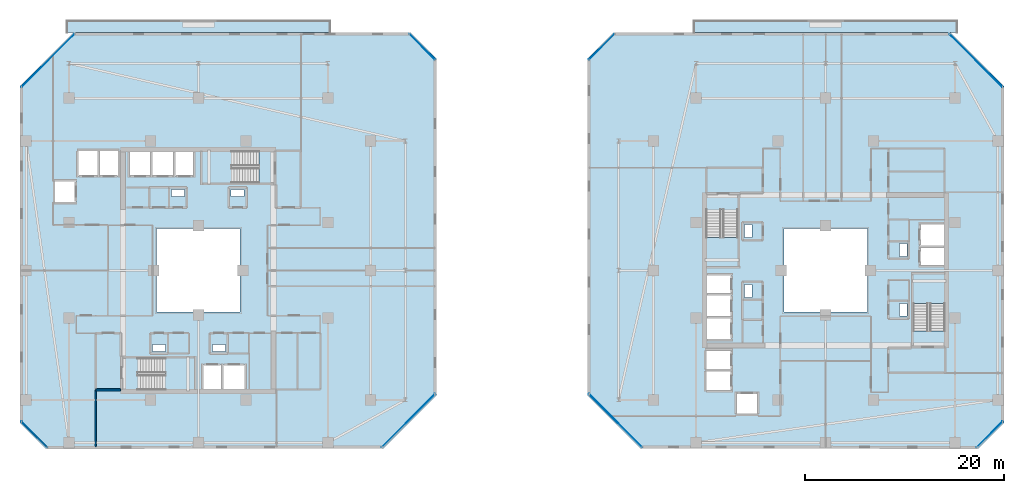
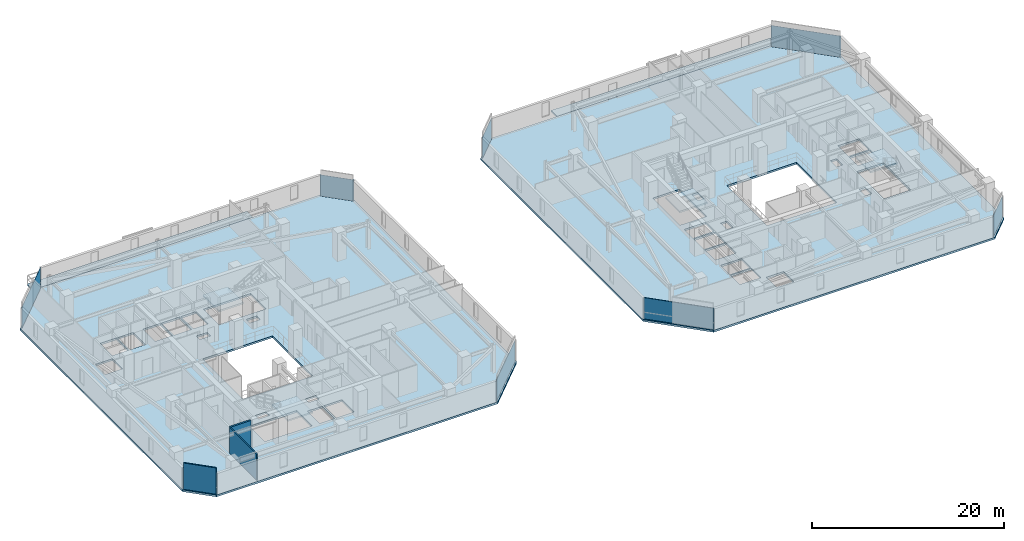
# One storey, part 18 of 33: 8 plates, 8 slabs, 3 walls, 12 elements without a shape of their own.
"""IFC4 building model written with IfcOpenShell, lengths in metres."""

from ifc_helpers import new_model, si_unit, direction, frame, frame_2d, origin, origin_2d, place, context, subcontext, project, spatial, polyline, rectangle, outline, extrude, material, layer, layer_set, type_object, element, aggregate, save


model = new_model("IFC4")

# Units and contexts
model_context = context("Model", 3, precision=1e-05, world=origin(), true_north=direction((0.0, 1.0)))
body_context = subcontext(model_context, "Body", "Model", "MODEL_VIEW")
ifc_project = project(units=[si_unit("LENGTHUNIT", "METRE"), si_unit("AREAUNIT", "SQUARE_METRE"), si_unit("VOLUMEUNIT", "CUBIC_METRE"), si_unit("PLANEANGLEUNIT", "RADIAN"), si_unit("MASSUNIT", "GRAM", prefix="KILO")], contexts=[model_context])

# Site, building, storey
site_placement = place(None, origin())
site = spatial("IfcSite", under=ifc_project, at=site_placement, CompositionType="ELEMENT")
building_placement = place(site_placement, origin())
building = spatial("IfcBuilding", under=site, at=building_placement, Name="Thornwick Lancets Civic Towers", CompositionType="ELEMENT")
storey_placement = place(building_placement, frame((0.0, 0.0, 185.699951171875)))
storey = spatial("IfcBuildingStorey", under=building, at=storey_placement, Name="L49", CompositionType="ELEMENT", Elevation=185.699951171875)

# Curtain wall, plate
ifc_material_1 = material(Name="Mid-zone chamfered-corner unitised glass curtain wall", Category="glass")
curtain_wall_type = type_object("IfcCurtainWallType", Name="CW_SYS_04", PredefinedType="NOTDEFINED", material=ifc_material_1)
curtain_wall_1_placement = place(storey_placement, origin())
curtain_wall_1 = element("IfcCurtainWall", 1, at=curtain_wall_1_placement, inside=storey, type_object=curtain_wall_type, Name="L49 Curtain Wall CW-L49-A-E1", PredefinedType="NOTDEFINED")
ifc_material_2 = material(Name="Low-e double glazing clear glass", Category="glass")
ifc_layer_1 = layer(ifc_material_2, 0.035888671875, Name="Low-e double glazing clear glass")
ifc_layer_set_1 = layer_set([ifc_layer_1], Name="Low-e double glazing clear glass")
plate_type = type_object("IfcPlateType", Name="CW_PNL_GLASS", PredefinedType="CURTAIN_PANEL", material=ifc_layer_set_1)
plate_1_placement = place(storey_placement, frame((46.589599609375, 11.910400390625, 0.0), z_axis=(0.0, 0.0, 1.0), x_axis=(0.707106781187, 0.707106781187, 0.0)))
plate_1 = element("IfcPlate", 2, at=plate_1_placement, type_object=plate_type, Name="CW-L49-A-E1 Panel 0", PredefinedType="CURTAIN_PANEL", context=body_context, shape_type="SweptSolid", body=[
    extrude(rectangle(XDim=7.536376953125, YDim=0.035888671875, at=origin_2d()), origin(), (0.0, 0.0, 1.0), 2.699951171875),
])
aggregate(curtain_wall_1, [plate_1])

curtain_wall_2_placement = place(storey_placement, origin())
curtain_wall_2 = element("IfcCurtainWall", 3, at=curtain_wall_2_placement, inside=storey, type_object=curtain_wall_type, Name="L49 Curtain Wall CW-L49-A-E3", PredefinedType="NOTDEFINED")
plate_2_placement = place(storey_placement, frame((47.972900390625, 49.472900390625, 0.0), z_axis=(0.0, 0.0, 1.0), x_axis=(-0.707106781187, 0.707106781187, 0.0)))
plate_2 = element("IfcPlate", 4, at=plate_2_placement, type_object=plate_type, Name="CW-L49-A-E3 Panel 0", PredefinedType="CURTAIN_PANEL", context=body_context, shape_type="SweptSolid", body=[
    extrude(rectangle(XDim=3.649169921875, YDim=0.035888671875, at=origin_2d()), origin(), (0.0, 0.0, 1.0), 2.699951171875),
])
aggregate(curtain_wall_2, [plate_2])

curtain_wall_3_placement = place(storey_placement, origin())
curtain_wall_3 = element("IfcCurtainWall", 5, at=curtain_wall_3_placement, inside=storey, type_object=curtain_wall_type, Name="L49 Curtain Wall CW-L49-A-E5", PredefinedType="NOTDEFINED")
plate_3_placement = place(storey_placement, frame((10.410400390625, 48.089599609375, 0.0), z_axis=(0.0, 0.0, 1.0), x_axis=(-0.707106781187, -0.707106781187, 0.0)))
plate_3 = element("IfcPlate", 6, at=plate_3_placement, type_object=plate_type, Name="CW-L49-A-E5 Panel 0", PredefinedType="CURTAIN_PANEL", context=body_context, shape_type="SweptSolid", body=[
    extrude(rectangle(XDim=7.536376953125, YDim=0.035888671875, at=origin_2d()), origin(), (0.0, 0.0, 1.0), 2.699951171875),
])
aggregate(curtain_wall_3, [plate_3])

curtain_wall_4_placement = place(storey_placement, origin())
curtain_wall_4 = element("IfcCurtainWall", 7, at=curtain_wall_4_placement, inside=storey, type_object=curtain_wall_type, Name="L49 Curtain Wall CW-L49-A-E7", PredefinedType="NOTDEFINED")
plate_4_placement = place(storey_placement, frame((9.027099609375, 10.527099609375, 0.0), z_axis=(0.0, 0.0, 1.0), x_axis=(0.707106781187, -0.707106781187, 0.0)))
plate_4 = element("IfcPlate", 8, at=plate_4_placement, type_object=plate_type, Name="CW-L49-A-E7 Panel 0", PredefinedType="CURTAIN_PANEL", context=body_context, shape_type="SweptSolid", body=[
    extrude(rectangle(XDim=3.649169921875, YDim=0.035888671875, at=origin_2d()), origin(), (0.0, 0.0, 1.0), 2.699951171875),
])
aggregate(curtain_wall_4, [plate_4])

curtain_wall_5_placement = place(storey_placement, origin())
curtain_wall_5 = element("IfcCurtainWall", 9, at=curtain_wall_5_placement, inside=storey, type_object=curtain_wall_type, Name="L49 Curtain Wall CW-L49-B-E1", PredefinedType="NOTDEFINED")
plate_5_placement = place(storey_placement, frame((104.972900390625, 10.527099609375, 0.0), z_axis=(0.0, 0.0, 1.0), x_axis=(0.707106781187, 0.707106781187, 0.0)))
plate_5 = element("IfcPlate", 10, at=plate_5_placement, type_object=plate_type, Name="CW-L49-B-E1 Panel 0", PredefinedType="CURTAIN_PANEL", context=body_context, shape_type="SweptSolid", body=[
    extrude(rectangle(XDim=3.649169921875, YDim=0.035888671875, at=origin_2d()), origin(), (0.0, 0.0, 1.0), 2.699951171875),
])
aggregate(curtain_wall_5, [plate_5])

curtain_wall_6_placement = place(storey_placement, origin())
curtain_wall_6 = element("IfcCurtainWall", 11, at=curtain_wall_6_placement, inside=storey, type_object=curtain_wall_type, Name="L49 Curtain Wall CW-L49-B-E3", PredefinedType="NOTDEFINED")
plate_6_placement = place(storey_placement, frame((103.589599609375, 48.089599609375, 0.0), z_axis=(0.0, 0.0, 1.0), x_axis=(-0.707106781187, 0.707106781187, 0.0)))
plate_6 = element("IfcPlate", 12, at=plate_6_placement, type_object=plate_type, Name="CW-L49-B-E3 Panel 0", PredefinedType="CURTAIN_PANEL", context=body_context, shape_type="SweptSolid", body=[
    extrude(rectangle(XDim=7.536376953125, YDim=0.035888671875, at=origin_2d()), origin(), (0.0, 0.0, 1.0), 2.699951171875),
])
aggregate(curtain_wall_6, [plate_6])

curtain_wall_7_placement = place(storey_placement, origin())
curtain_wall_7 = element("IfcCurtainWall", 13, at=curtain_wall_7_placement, inside=storey, type_object=curtain_wall_type, Name="L49 Curtain Wall CW-L49-B-E5", PredefinedType="NOTDEFINED")
plate_7_placement = place(storey_placement, frame((66.027099609375, 49.472900390625, 0.0), z_axis=(0.0, 0.0, 1.0), x_axis=(-0.707106781187, -0.707106781187, 0.0)))
plate_7 = element("IfcPlate", 14, at=plate_7_placement, type_object=plate_type, Name="CW-L49-B-E5 Panel 0", PredefinedType="CURTAIN_PANEL", context=body_context, shape_type="SweptSolid", body=[
    extrude(rectangle(XDim=3.649169921875, YDim=0.035888671875, at=origin_2d()), origin(), (0.0, 0.0, 1.0), 2.699951171875),
])
aggregate(curtain_wall_7, [plate_7])

curtain_wall_8_placement = place(storey_placement, origin())
curtain_wall_8 = element("IfcCurtainWall", 15, at=curtain_wall_8_placement, inside=storey, type_object=curtain_wall_type, Name="L49 Curtain Wall CW-L49-B-E7", PredefinedType="NOTDEFINED")
plate_8_placement = place(storey_placement, frame((67.410400390625, 11.910400390625, 0.0), z_axis=(0.0, 0.0, 1.0), x_axis=(0.707106781187, -0.707106781187, 0.0)))
plate_8 = element("IfcPlate", 16, at=plate_8_placement, type_object=plate_type, Name="CW-L49-B-E7 Panel 0", PredefinedType="CURTAIN_PANEL", context=body_context, shape_type="SweptSolid", body=[
    extrude(rectangle(XDim=7.536376953125, YDim=0.035888671875, at=origin_2d()), origin(), (0.0, 0.0, 1.0), 2.699951171875),
])
aggregate(curtain_wall_8, [plate_8])

# Slabs
ifc_material_3 = material(Name="Post-tensioned concrete C40/50", Category="concrete")
ifc_layer_2 = layer(ifc_material_3, 0.199951171875, Name="Post-tensioned concrete C40/50")
ifc_layer_set_2 = layer_set([ifc_layer_2], Name="Post-tensioned concrete C40/50")
slab_type_1 = type_object("IfcSlabType", Name="SLAB_BALCONY_200", PredefinedType="FLOOR", material=ifc_layer_set_2)
slab_1_placement = place(storey_placement, frame((0.0, 0.0, -0.199951171875)))
element("IfcSlab", 17, at=slab_1_placement, inside=storey, type_object=slab_type_1, Name="L49 Tower A Planted Balcony Slab N", PredefinedType="FLOOR", context=body_context, shape_type="SweptSolid", body=[
    extrude(outline(polyline([(12.300048828125, 50.89990234375), (38.699951171875, 50.89990234375), (38.699951171875, 52.14990234375), (12.300048828125, 52.14990234375), (12.300048828125, 50.89990234375)])), origin(), (0.0, 0.0, 1.0), 0.199951171875),
])
slab_2_placement = place(storey_placement, frame((0.0, 0.0, -0.199951171875)))
element("IfcSlab", 18, at=slab_2_placement, inside=storey, type_object=slab_type_1, Name="L49 Tower B Planted Balcony Slab N", PredefinedType="FLOOR", context=body_context, shape_type="SweptSolid", body=[
    extrude(outline(polyline([(75.300048828125, 50.89990234375), (101.699951171875, 50.89990234375), (101.699951171875, 52.14990234375), (75.300048828125, 52.14990234375), (75.300048828125, 50.89990234375)])), origin(), (0.0, 0.0, 1.0), 0.199951171875),
])

# Stair, slab
ifc_material_4 = material(Name="Concrete C40/50", Category="concrete")
stair_type = type_object("IfcStairType", Name="STAIR_DL_3600", PredefinedType="HALF_TURN_STAIR", material=ifc_material_4)
stair_1_placement = place(storey_placement, origin())
stair_1 = element("IfcStair", 19, at=stair_1_placement, inside=storey, type_object=stair_type, Name="L49 Tower A South Exit Stair ST-A1", PredefinedType="HALF_TURN_STAIR")
ifc_layer_3 = layer(ifc_material_4, 0.25, Name="Concrete C40/50")
ifc_layer_set_3 = layer_set([ifc_layer_3], Name="Concrete C40/50")
slab_type_2 = type_object("IfcSlabType", Name="SLAB_LANDING_200", PredefinedType="LANDING", material=ifc_layer_set_3)
slab_3_placement = place(storey_placement, frame((0.0, 0.0, 1.60302734375)))
slab_3 = element("IfcSlab", 20, at=slab_3_placement, type_object=slab_type_2, Name="ST-A1 landing 1", PredefinedType="LANDING", context=body_context, shape_type="SweptSolid", body=[
    extrude(outline(polyline([(22.169921875, 14.93994140625), (25.14990234375, 14.93994140625), (25.14990234375, 18.260009765625), (22.169921875, 18.260009765625), (22.169921875, 14.93994140625)])), origin(), (0.0, 0.0, 1.0), 0.199951171875),
])
aggregate(stair_1, [slab_3])

stair_2_placement = place(storey_placement, origin())
stair_2 = element("IfcStair", 21, at=stair_2_placement, inside=storey, type_object=stair_type, Name="L49 Tower A North Exit Stair ST-A2", PredefinedType="HALF_TURN_STAIR")
slab_4_placement = place(storey_placement, frame((0.0, 0.0, 1.60302734375)))
slab_4 = element("IfcSlab", 22, at=slab_4_placement, type_object=slab_type_2, Name="ST-A2 landing 1", PredefinedType="LANDING", context=body_context, shape_type="SweptSolid", body=[
    extrude(outline(polyline([(28.830078125, 39.06005859375), (25.85009765625, 39.06005859375), (25.85009765625, 35.739990234375), (28.830078125, 35.739990234375), (28.830078125, 39.06005859375)])), origin(), (0.0, 0.0, 1.0), 0.199951171875),
])
aggregate(stair_2, [slab_4])

stair_3_placement = place(storey_placement, origin())
stair_3 = element("IfcStair", 23, at=stair_3_placement, inside=storey, type_object=stair_type, Name="L49 Tower B East Exit Stair ST-B1", PredefinedType="HALF_TURN_STAIR")
slab_5_placement = place(storey_placement, frame((0.0, 0.0, 1.60302734375)))
slab_5 = element("IfcSlab", 24, at=slab_5_placement, type_object=slab_type_2, Name="ST-B1 landing 1", PredefinedType="LANDING", context=body_context, shape_type="SweptSolid", body=[
    extrude(outline(polyline([(100.56005859375, 23.669921875), (100.56005859375, 26.64990234375), (97.239990234375, 26.64990234375), (97.239990234375, 23.669921875), (100.56005859375, 23.669921875)])), origin(), (0.0, 0.0, 1.0), 0.199951171875),
])
aggregate(stair_3, [slab_5])

stair_4_placement = place(storey_placement, origin())
stair_4 = element("IfcStair", 25, at=stair_4_placement, inside=storey, type_object=stair_type, Name="L49 Tower B West Exit Stair ST-B2", PredefinedType="HALF_TURN_STAIR")
slab_6_placement = place(storey_placement, frame((0.0, 0.0, 1.60302734375)))
slab_6 = element("IfcSlab", 26, at=slab_6_placement, type_object=slab_type_2, Name="ST-B2 landing 1", PredefinedType="LANDING", context=body_context, shape_type="SweptSolid", body=[
    extrude(outline(polyline([(76.43994140625, 30.330078125), (76.43994140625, 27.35009765625), (79.760009765625, 27.35009765625), (79.760009765625, 30.330078125), (76.43994140625, 30.330078125)])), origin(), (0.0, 0.0, 1.0), 0.199951171875),
])
aggregate(stair_4, [slab_6])

# Slabs
ifc_layer_4 = layer(ifc_material_3, 0.239990234375, Name="Post-tensioned concrete C40/50")
ifc_layer_set_4 = layer_set([ifc_layer_4], Name="Post-tensioned concrete C40/50")
slab_type_3 = type_object("IfcSlabType", Name="SLAB_PT_240", PredefinedType="FLOOR", material=ifc_layer_set_4)
slab_7_placement = place(storey_placement, frame((0.0, 0.0, -0.239990234375)))
element("IfcSlab", 27, at=slab_7_placement, inside=storey, type_object=slab_type_3, Name="L49 Tower A Floor Slab", PredefinedType="FLOOR", context=body_context, shape_type="SweptSolid", body=[
    extrude(outline(polyline([(10.199951171875, 9.10009765625), (44.031005859375, 9.10009765625), (49.39990234375, 14.468994140625), (49.39990234375, 48.300048828125), (46.800048828125, 50.89990234375), (12.968994140625, 50.89990234375), (7.60009765625, 45.531005859375), (7.60009765625, 11.699951171875), (10.199951171875, 9.10009765625)]), holes=[polyline([(21.300048828125, 22.800048828125), (29.699951171875, 22.800048828125), (29.699951171875, 31.199951171875), (21.300048828125, 31.199951171875), (21.300048828125, 22.800048828125)]), polyline([(19.429931640625, 15.0), (25.10009765625, 15.0), (25.10009765625, 18.199951171875), (19.429931640625, 18.199951171875), (19.429931640625, 15.0)]), polyline([(31.570068359375, 39.0), (25.89990234375, 39.0), (25.89990234375, 35.800048828125), (31.570068359375, 35.800048828125), (31.570068359375, 39.0)]), polyline([(26.0, 15.0), (27.800048828125, 15.0), (27.800048828125, 17.550048828125), (26.0, 17.550048828125), (26.0, 15.0)]), polyline([(28.0, 15.0), (30.14990234375, 15.0), (30.14990234375, 17.550048828125), (28.0, 17.550048828125), (28.0, 15.0)]), polyline([(23.199951171875, 36.449951171875), (25.0, 36.449951171875), (25.0, 39.0), (23.199951171875, 39.0), (23.199951171875, 36.449951171875)]), polyline([(20.85009765625, 36.449951171875), (23.0, 36.449951171875), (23.0, 39.0), (20.85009765625, 39.0), (20.85009765625, 36.449951171875)]), polyline([(18.60009765625, 36.449951171875), (20.699951171875, 36.449951171875), (20.699951171875, 39.0), (18.60009765625, 39.0), (18.60009765625, 36.449951171875)]), polyline([(15.550048828125, 36.449951171875), (17.449951171875, 36.449951171875), (17.449951171875, 39.0), (15.550048828125, 39.0), (15.550048828125, 36.449951171875)]), polyline([(13.449951171875, 36.449951171875), (15.39990234375, 36.449951171875), (15.39990234375, 39.0), (13.449951171875, 39.0), (13.449951171875, 36.449951171875)]), polyline([(11.10009765625, 33.85009765625), (13.199951171875, 33.85009765625), (13.199951171875, 35.949951171875), (11.10009765625, 35.949951171875), (11.10009765625, 33.85009765625)]), polyline([(26.89990234375, 18.85009765625), (28.199951171875, 18.85009765625), (28.199951171875, 19.580078125), (26.89990234375, 19.580078125), (26.89990234375, 18.85009765625)]), polyline([(20.89990234375, 18.85009765625), (22.199951171875, 18.85009765625), (22.199951171875, 19.580078125), (20.89990234375, 19.580078125), (20.89990234375, 18.85009765625)]), polyline([(22.800048828125, 34.419921875), (24.10009765625, 34.419921875), (24.10009765625, 35.14990234375), (22.800048828125, 35.14990234375), (22.800048828125, 34.419921875)]), polyline([(28.800048828125, 34.419921875), (30.10009765625, 34.419921875), (30.10009765625, 35.14990234375), (28.800048828125, 35.14990234375), (28.800048828125, 34.419921875)])]), origin(), (0.0, 0.0, 1.0), 0.239990234375),
])
slab_8_placement = place(storey_placement, frame((0.0, 0.0, -0.239990234375)))
element("IfcSlab", 28, at=slab_8_placement, inside=storey, type_object=slab_type_3, Name="L49 Tower B Floor Slab", PredefinedType="FLOOR", context=body_context, shape_type="SweptSolid", body=[
    extrude(outline(polyline([(69.968994140625, 9.10009765625), (103.800048828125, 9.10009765625), (106.39990234375, 11.699951171875), (106.39990234375, 45.531005859375), (101.031005859375, 50.89990234375), (67.199951171875, 50.89990234375), (64.60009765625, 48.300048828125), (64.60009765625, 14.468994140625), (69.968994140625, 9.10009765625)]), holes=[polyline([(84.300048828125, 22.800048828125), (92.699951171875, 22.800048828125), (92.699951171875, 31.199951171875), (84.300048828125, 31.199951171875), (84.300048828125, 22.800048828125)]), polyline([(100.5, 20.929931640625), (100.5, 26.60009765625), (97.300048828125, 26.60009765625), (97.300048828125, 20.929931640625), (100.5, 20.929931640625)]), polyline([(76.5, 33.070068359375), (76.5, 27.39990234375), (79.699951171875, 27.39990234375), (79.699951171875, 33.070068359375), (76.5, 33.070068359375)]), polyline([(97.949951171875, 27.5), (100.5, 27.5), (100.5, 29.300048828125), (97.949951171875, 29.300048828125), (97.949951171875, 27.5)]), polyline([(97.949951171875, 29.5), (100.5, 29.5), (100.5, 31.64990234375), (97.949951171875, 31.64990234375), (97.949951171875, 29.5)]), polyline([(76.5, 24.699951171875), (79.050048828125, 24.699951171875), (79.050048828125, 26.5), (76.5, 26.5), (76.5, 24.699951171875)]), polyline([(76.5, 22.35009765625), (79.050048828125, 22.35009765625), (79.050048828125, 24.5), (76.5, 24.5), (76.5, 22.35009765625)]), polyline([(76.5, 20.10009765625), (79.050048828125, 20.10009765625), (79.050048828125, 22.199951171875), (76.5, 22.199951171875), (76.5, 20.10009765625)]), polyline([(76.5, 17.050048828125), (79.050048828125, 17.050048828125), (79.050048828125, 18.949951171875), (76.5, 18.949951171875), (76.5, 17.050048828125)]), polyline([(76.5, 14.949951171875), (79.050048828125, 14.949951171875), (79.050048828125, 16.89990234375), (76.5, 16.89990234375), (76.5, 14.949951171875)]), polyline([(79.550048828125, 12.60009765625), (81.64990234375, 12.60009765625), (81.64990234375, 14.699951171875), (79.550048828125, 14.699951171875), (79.550048828125, 12.60009765625)]), polyline([(95.919921875, 28.39990234375), (96.64990234375, 28.39990234375), (96.64990234375, 29.699951171875), (95.919921875, 29.699951171875), (95.919921875, 28.39990234375)]), polyline([(95.919921875, 22.39990234375), (96.64990234375, 22.39990234375), (96.64990234375, 23.699951171875), (95.919921875, 23.699951171875), (95.919921875, 22.39990234375)]), polyline([(80.35009765625, 24.300048828125), (81.080078125, 24.300048828125), (81.080078125, 25.60009765625), (80.35009765625, 25.60009765625), (80.35009765625, 24.300048828125)]), polyline([(80.35009765625, 30.300048828125), (81.080078125, 30.300048828125), (81.080078125, 31.60009765625), (80.35009765625, 31.60009765625), (80.35009765625, 30.300048828125)])]), origin(), (0.0, 0.0, 1.0), 0.239990234375),
])

# Walls
ifc_material_5 = material(Name="Concrete blockwork C40/50", Category="masonry")
ifc_layer_5 = layer(ifc_material_5, 0.199951171875, Name="Concrete blockwork C40/50")
ifc_layer_set_5 = layer_set([ifc_layer_5], Name="Concrete blockwork C40/50")
wall_type_1 = type_object("IfcWallType", Name="WALL_COMP_200", PredefinedType="STANDARD", material=ifc_layer_set_5)
wall_1_placement = place(storey_placement, frame((15.199951171875, 15.0, 0.0), z_axis=(0.0, 0.0, 1.0), x_axis=(1.0, 0.0, 0.0)))
element("IfcWall", 29, at=wall_1_placement, inside=storey, type_object=wall_type_1, Name="L49 Partition L49-A-FFLOB1 E1", PredefinedType="STANDARD", context=body_context, shape_type="SweptSolid", body=[
    extrude(rectangle(XDim=2.5, YDim=0.199951171875, at=frame_2d((1.25, 0.0))), origin(), (0.0, 0.0, 1.0), 3.340087890625),
])
ifc_material_6 = material(Name="Acoustic gypsum board partition")
ifc_layer_6 = layer(ifc_material_6, 0.1201171875, Name="Acoustic gypsum board partition")
ifc_layer_set_6 = layer_set([ifc_layer_6], Name="Acoustic gypsum board partition")
wall_type_2 = type_object("IfcWallType", Name="WALL_PART_120", PredefinedType="PARTITIONING", material=ifc_layer_set_6)
wall_2_placement = place(storey_placement, frame((15.199951171875, 15.0, 0.0), z_axis=(0.0, 0.0, 1.0), x_axis=(0.0, -1.0, 0.0)))
element("IfcWall", 30, at=wall_2_placement, inside=storey, type_object=wall_type_2, Name="L49 Partition L49-A-W1 E9", PredefinedType="PARTITIONING", context=body_context, shape_type="SweptSolid", body=[
    extrude(rectangle(XDim=5.719970703125, YDim=0.1201171875, at=frame_2d((2.85986328125, 0.0))), origin(), (0.0, 0.0, 1.0), 3.340087890625),
])
wall_3_placement = place(storey_placement, frame((10.274658203125, 9.280029296875, 0.0), z_axis=(0.0, 0.0, 1.0), x_axis=(-0.707106781187, 0.707106781187, 0.0)))
element("IfcWall", 31, at=wall_3_placement, inside=storey, type_object=wall_type_2, Name="L49 Partition L49-A-W1 E11", PredefinedType="PARTITIONING", context=body_context, shape_type="SweptSolid", body=[
    extrude(rectangle(XDim=3.52783203125, YDim=0.1201171875, at=frame_2d((1.763916015625, 0.0))), origin(), (0.0, 0.0, 1.0), 3.340087890625),
])

save(model, "model.ifc")
